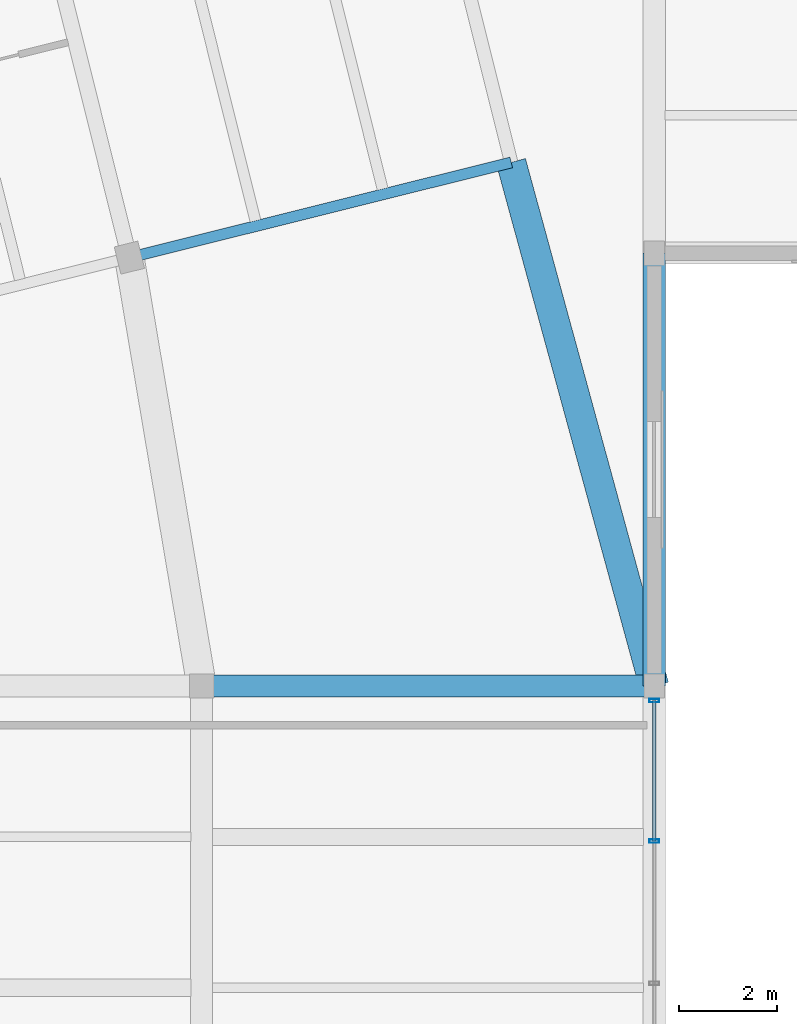
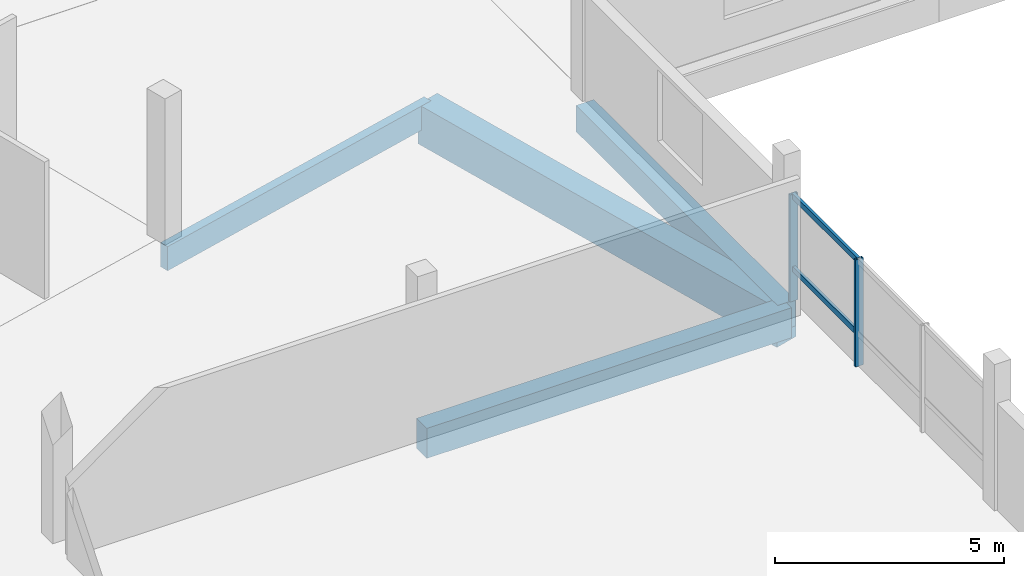
# One storey, part 24 of 62: 4 beams, 4 members, 1 element without a shape of its own.
"""IFC4 building model written with IfcOpenShell, lengths in metres."""

from ifc_helpers import new_model, si_unit, direction, frame, origin, origin_2d, place, context, subcontext, project, spatial, rectangle, hollow_rectangle, extrude, material, layer, layer_set, material_profile, profile_set, type_object, element, aggregate, save


model = new_model("IFC4")

# Units and contexts
model_context = context("Model", 3, precision=1e-05, world=origin(), true_north=direction((0.0, 1.0)))
body_context = subcontext(model_context, "Body", "Model", "MODEL_VIEW")
ifc_project = project(units=[si_unit("LENGTHUNIT", "METRE"), si_unit("AREAUNIT", "SQUARE_METRE"), si_unit("VOLUMEUNIT", "CUBIC_METRE"), si_unit("PLANEANGLEUNIT", "RADIAN"), si_unit("MASSUNIT", "GRAM", prefix="KILO")], contexts=[model_context])

# Site, building, storey
site_placement = place(None, origin())
site = spatial("IfcSite", under=ifc_project, at=site_placement, CompositionType="ELEMENT")
building_placement = place(site_placement, origin())
building = spatial("IfcBuilding", under=site, at=building_placement, Name="Meriwether Solvik Hall", CompositionType="ELEMENT")
storey_placement = place(building_placement, frame((0.0, 0.0, 14.39990234375)))
storey = spatial("IfcBuildingStorey", under=building, at=storey_placement, Name="L03", CompositionType="ELEMENT", Elevation=14.39990234375)

# Beams
ifc_material_1 = material(Name="Glulam Douglas-Fir 24F-V8 GL28h", Category="wood")
ifc_material_profile_1 = material_profile(ifc_material_1, rectangle(XDim=0.221923828125, YDim=0.64501953125, at=origin_2d()), Name="GLB-222X645")
ifc_profile_set_1 = profile_set([ifc_material_profile_1], Name="Glulam Douglas-Fir 24F-V8 GL28h")
beam_type_1 = type_object("IfcBeamType", Name="BM-GL-222X645", PredefinedType="SPANDREL", material=ifc_profile_set_1)
beam_1_placement = place(storey_placement, frame((103.53076171875, 49.9091796875, -0.5673828125), z_axis=(0.970296689949, 0.241918030485, 0.0), x_axis=(-0.241918030485, 0.970296689949, 0.0)))
element("IfcBeam", 1, at=beam_1_placement, inside=storey, type_object=beam_type_1, Name="Tower Girder TA:T6-T7 (L03)", PredefinedType="SPANDREL", context=body_context, shape_type="SweptSolid", body=[
    extrude(rectangle(XDim=0.221923828125, YDim=0.64501953125, at=origin_2d()), origin(), (0.0, 0.0, 1.0), 7.999755859375),
])
ifc_material_2 = material(Name="Concrete C40/50", Category="concrete")
ifc_material_profile_2 = material_profile(ifc_material_2, rectangle(XDim=0.449951171875, YDim=0.699951171875, at=origin_2d()), Name="RCB-450X700")
ifc_profile_set_2 = profile_set([ifc_material_profile_2], Name="Concrete C40/50")
beam_type_2 = type_object("IfcBeamType", Name="BM-RC-450X700", PredefinedType="BEAM", material=ifc_profile_set_2)
beam_2_placement = place(storey_placement, frame((114.199951171875, 41.199951171875, -0.594970703125), z_axis=(0.0, 1.0, 0.0), x_axis=(-1.0, 0.0, 0.0)))
element("IfcBeam", 2, at=beam_2_placement, inside=storey, type_object=beam_type_2, Name="Podium Girder 13:E-F (L03)", PredefinedType="BEAM", context=body_context, shape_type="SweptSolid", body=[
    extrude(rectangle(XDim=0.449951171875, YDim=0.699951171875, at=origin_2d()), origin(), (0.0, 0.0, 1.0), 8.800048828125),
])
ifc_material_3 = material(Name="Concrete C40/50", Category="concrete")
ifc_material_profile_3 = material_profile(ifc_material_3, rectangle(XDim=0.449951171875, YDim=0.800048828125, at=origin_2d()), Name="RCB-450X800")
ifc_profile_set_3 = profile_set([ifc_material_profile_3], Name="Concrete C40/50")
beam_type_3 = type_object("IfcBeamType", Name="BM-RC-450X800", PredefinedType="BEAM", material=ifc_profile_set_3)
beam_3_placement = place(storey_placement, frame((105.0, 41.199951171875, -0.64501953125), z_axis=(1.0, 0.0, 0.0), x_axis=(0.0, 1.0, 0.0)))
element("IfcBeam", 3, at=beam_3_placement, inside=storey, type_object=beam_type_3, Name="Podium Girder E:12-13 (L03)", PredefinedType="BEAM", context=body_context, shape_type="SweptSolid", body=[
    extrude(rectangle(XDim=0.449951171875, YDim=0.800048828125, at=origin_2d()), origin(), (0.0, 0.0, 1.0), 9.199951171875),
])
ifc_material_4 = material(Name="Concrete C40/50", Category="concrete")
ifc_material_profile_4 = material_profile(ifc_material_4, rectangle(XDim=0.60009765625, YDim=1.050048828125, at=origin_2d()), Name="RCB-600X1050")
ifc_profile_set_4 = profile_set([ifc_material_profile_4], Name="Concrete C40/50")
beam_type_4 = type_object("IfcBeamType", Name="BM-RC-600X1050", PredefinedType="BEAM", material=ifc_profile_set_4)
beam_4_placement = place(storey_placement, frame((111.29296875, 51.844482421875, -0.77001953125), z_axis=(0.263448762729, -0.964673390022, 0.0), x_axis=(0.964673390022, 0.263448762729, 0.0)))
element("IfcBeam", 4, at=beam_4_placement, inside=storey, type_object=beam_type_4, Name="Diaphragm Collector Girder T7/TA-13/E (L03)", PredefinedType="BEAM", context=body_context, shape_type="SweptSolid", body=[
    extrude(rectangle(XDim=0.60009765625, YDim=1.050048828125, at=origin_2d()), origin(), (0.0, 0.0, 1.0), 11.034423828125),
])

# Curtain wall, members
ifc_material_5 = material(Name="Thermally Broken Anodised Aluminium 6063-T6 and Low-E Glass", Category="aluminium")
ifc_layer = layer(ifc_material_5, 0.179931640625)
ifc_layer_set = layer_set([ifc_layer], Name="Thermally Broken Anodised Aluminium 6063-T6 and Low-E Glass")
curtain_wall_type = type_object("IfcCurtainWallType", Name="CW-UNIT-E", PredefinedType="USERDEFINED", material=ifc_layer_set)
curtain_wall_placement = place(storey_placement, origin())
curtain_wall = element("IfcCurtainWall", 5, at=curtain_wall_placement, inside=storey, type_object=curtain_wall_type, Name="Curtain Wall wing_Y13_4_37 (L03)", ObjectType="UNITISED CURTAIN WALL", PredefinedType="USERDEFINED")
ifc_material_6 = material(Name="Anodised Aluminium 6063-T6", Category="aluminium")
ifc_material_profile_5 = material_profile(ifc_material_6, hollow_rectangle(XDim=0.070068359375, YDim=0.199951171875, WallThickness=0.0048828125, at=origin_2d()), Name="CWM-70X200")
ifc_profile_set_5 = profile_set([ifc_material_profile_5], Name="Anodised Aluminium 6063-T6")
member_type_1 = type_object("IfcMemberType", Name="CW-MUL-70X200", PredefinedType="MULLION", material=ifc_profile_set_5)
member_1_placement = place(storey_placement, frame((114.199951171875, 40.902587890625, 0.0), z_axis=(0.0, 0.0, 1.0), x_axis=(0.0, -1.0, 0.0)))
member_1 = element("IfcMember", 6, at=member_1_placement, type_object=member_type_1, Name="Curtain Wall Mullion 1", PredefinedType="MULLION", context=body_context, shape_type="SweptSolid", body=[
    extrude(hollow_rectangle(XDim=0.070068359375, YDim=0.199951171875, WallThickness=0.0048828125, at=origin_2d()), origin(), (0.0, 0.0, 1.0), 2.85498046875),
])
member_2_placement = place(storey_placement, frame((114.199951171875, 38.046875, 0.0), z_axis=(0.0, 0.0, 1.0), x_axis=(0.0, -1.0, 0.0)))
member_2 = element("IfcMember", 7, at=member_2_placement, type_object=member_type_1, Name="Curtain Wall Mullion 2", PredefinedType="MULLION", context=body_context, shape_type="SweptSolid", body=[
    extrude(hollow_rectangle(XDim=0.070068359375, YDim=0.199951171875, WallThickness=0.0048828125, at=origin_2d()), origin(), (0.0, 0.0, 1.0), 2.85498046875),
])
ifc_material_7 = material(Name="Anodised Aluminium 6063-T6", Category="aluminium")
ifc_material_profile_6 = material_profile(ifc_material_7, hollow_rectangle(XDim=0.070068359375, YDim=0.14990234375, WallThickness=0.0048828125, at=origin_2d()), Name="CWT-70X150")
ifc_profile_set_6 = profile_set([ifc_material_profile_6], Name="Anodised Aluminium 6063-T6")
member_type_2 = type_object("IfcMemberType", Name="CW-TRN-70X150", PredefinedType="USERDEFINED", material=ifc_profile_set_6)
member_3_placement = place(storey_placement, frame((114.199951171875, 40.902587890625, 0.856689453125), z_axis=(0.0, -1.0, 0.0), x_axis=(1.0, 0.0, 0.0)))
member_3 = element("IfcMember", 8, at=member_3_placement, type_object=member_type_2, Name="Curtain Wall Transom 1-sill", ObjectType="TRANSOM", PredefinedType="USERDEFINED", context=body_context, shape_type="SweptSolid", body=[
    extrude(hollow_rectangle(XDim=0.070068359375, YDim=0.14990234375, WallThickness=0.0048828125, at=origin_2d()), origin(), (0.0, 0.0, 1.0), 2.855712890625),
])
member_4_placement = place(storey_placement, frame((114.199951171875, 40.902587890625, 2.795166015625), z_axis=(0.0, -1.0, 0.0), x_axis=(1.0, 0.0, 0.0)))
member_4 = element("IfcMember", 9, at=member_4_placement, type_object=member_type_2, Name="Curtain Wall Transom 1-head", ObjectType="TRANSOM", PredefinedType="USERDEFINED", context=body_context, shape_type="SweptSolid", body=[
    extrude(hollow_rectangle(XDim=0.070068359375, YDim=0.14990234375, WallThickness=0.0048828125, at=origin_2d()), origin(), (0.0, 0.0, 1.0), 2.855712890625),
])
aggregate(curtain_wall, [member_1, member_2, member_3, member_4])

save(model, "model.ifc")
